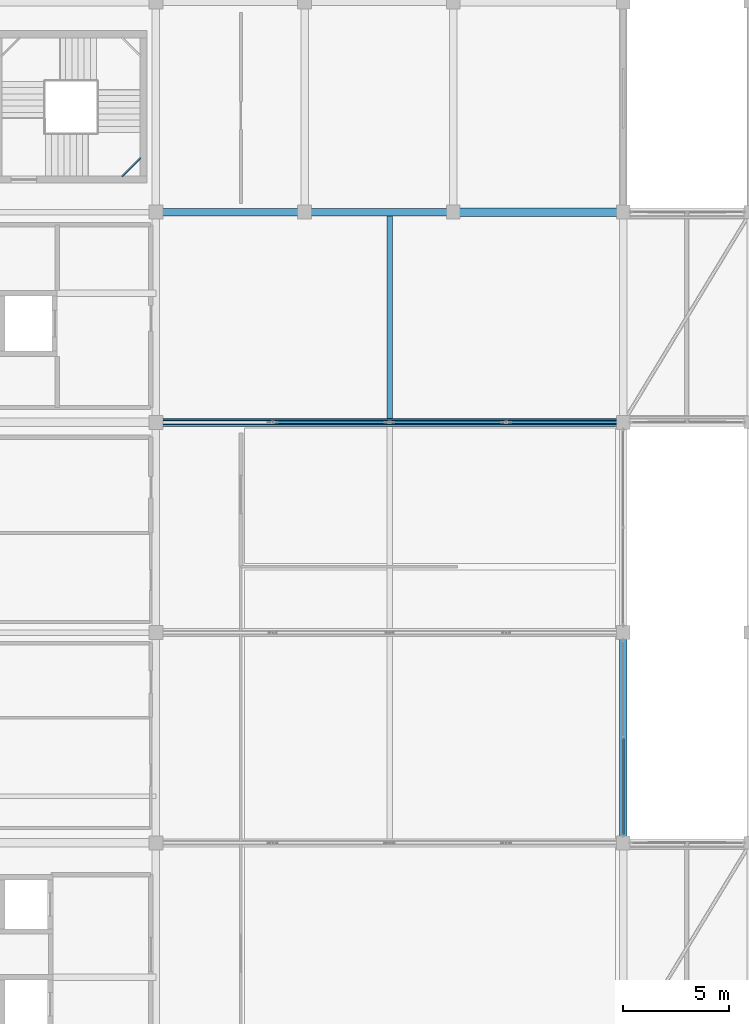
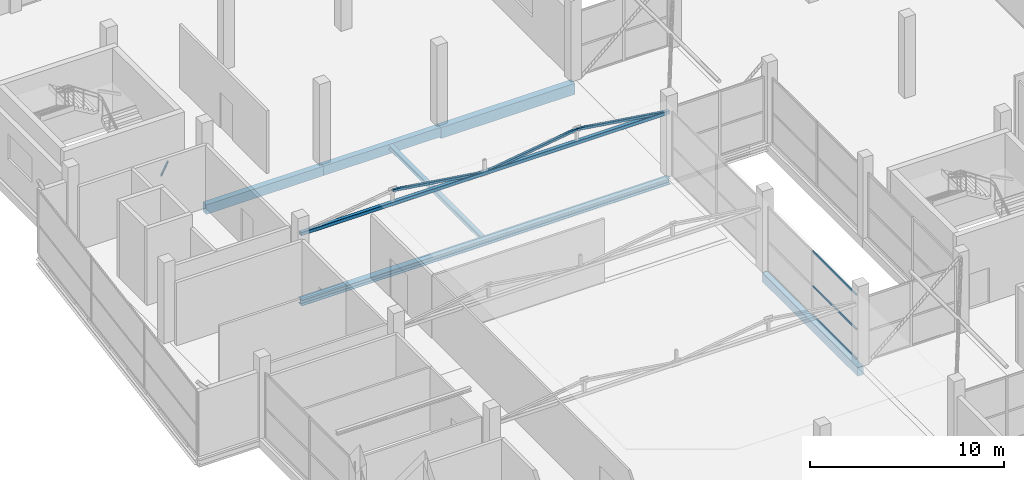
# One storey, part 25 of 58: 7 beams, 7 members, 1 element without a shape of its own.
"""IFC4 building model written with IfcOpenShell, lengths in metres."""

import ifcopenshell
import ifcopenshell.guid

model = None  # the IFC model being written
_history = None  # IfcOwnerHistory: only IFC2X3 demands one
_inside = {}  # id of a spatial element -> (the spatial element, [elements in it])
_under = {}  # id of a project, library or spatial element -> (it, [spatial elements below it])
_declared = {}  # id of a project -> (the project, [libraries it declares])
_typed = {}  # id of a type object -> (the type object, [elements of that type])
_made_of = {}  # id of a material, layer set ... -> (it, [elements and type objects made of it])


def new_model(schema):
    """Start an empty IFC model of exactly this schema.

    Asked for "IFC4X3", IfcOpenShell would pick the latest addendum, in which some entities
    have other attributes; the version numbers below select the first issue.
    IFC2X3 requires an IfcOwnerHistory on every rooted entity: one is made here for all.
    """
    global model, _history
    if schema == "IFC4X3":
        model = ifcopenshell.file(schema_version=(4, 3, 0, 0))
    else:
        model = ifcopenshell.file(schema=schema)
    _inside.clear()
    _under.clear()
    _declared.clear()
    _typed.clear()
    _made_of.clear()
    _history = None
    if model.schema == "IFC2X3":
        org = make("IfcOrganization", Name="unknown")
        user = make(
            "IfcPersonAndOrganization",
            ThePerson=make("IfcPerson", FamilyName="unknown"),
            TheOrganization=org,
        )
        app = make(
            "IfcApplication",
            ApplicationDeveloper=org,
            Version="unknown",
            ApplicationFullName="unknown",
            ApplicationIdentifier="unknown",
        )
        _history = make(
            "IfcOwnerHistory",
            OwningUser=user,
            OwningApplication=app,
            ChangeAction="ADDED",
            CreationDate=0,
        )
    return model


def make(cls, **values):
    """One entity of the class cls with the attributes given. An attribute that is None is left unset."""
    return model.create_entity(
        cls, **{name: value for name, value in values.items() if value is not None}
    )


def rooted(cls, **values):
    """An entity with a GlobalId (a new one), such as an element, a storey or a relation."""
    return make(cls, GlobalId=ifcopenshell.guid.new(), OwnerHistory=_history, **values)


def si_unit(unit_type, name, prefix=None):
    """IfcSIUnit, for example si_unit("LENGTHUNIT", "METRE", prefix="MILLI")."""
    return make("IfcSIUnit", UnitType=unit_type, Prefix=prefix, Name=name)


def assignment(units):
    """IfcUnitAssignment: the units of a project."""
    return None if units is None else make("IfcUnitAssignment", Units=units)


def point(xyz):
    """IfcCartesianPoint."""
    return None if xyz is None else make("IfcCartesianPoint", Coordinates=xyz)


def direction(xyz):
    """IfcDirection."""
    return None if xyz is None else make("IfcDirection", DirectionRatios=xyz)


def frame(location, z_axis=None, x_axis=None):
    """IfcAxis2Placement3D, a coordinate frame: its origin and axes. An axis left out is left unset."""
    return make(
        "IfcAxis2Placement3D",
        Location=point(location),
        Axis=direction(z_axis),
        RefDirection=direction(x_axis),
    )


def frame_2d(location, x_axis=None):
    """IfcAxis2Placement2D, a coordinate frame in the plane: its origin and x axis."""
    return make(
        "IfcAxis2Placement2D", Location=point(location), RefDirection=direction(x_axis)
    )


def origin():
    """The frame at (0, 0, 0) with its axes left unset."""
    return frame((0.0, 0.0, 0.0))


def origin_2d():
    """The frame at (0, 0) in the plane with its x axis left unset."""
    return frame_2d((0.0, 0.0))


def place(relative_to, where):
    """IfcLocalPlacement: puts the frame where relative to a parent placement (None: the world)."""
    return make(
        "IfcLocalPlacement", PlacementRelTo=relative_to, RelativePlacement=where
    )


def context(
    kind, dimensions, precision=None, world=None, true_north=None, identifier=None
):
    """IfcGeometricRepresentationContext, for example the 3D "Model" context."""
    return make(
        "IfcGeometricRepresentationContext",
        ContextIdentifier=identifier,
        ContextType=kind,
        CoordinateSpaceDimension=dimensions,
        Precision=precision,
        WorldCoordinateSystem=world,
        TrueNorth=true_north,
    )


def subcontext(parent, identifier, kind, view, scale=None):
    """IfcGeometricRepresentationSubContext, for example "Body" below "Model"."""
    return make(
        "IfcGeometricRepresentationSubContext",
        ContextIdentifier=identifier,
        ContextType=kind,
        ParentContext=parent,
        TargetScale=scale,
        TargetView=view,
    )


def project(units=None, contexts=None):
    """IfcProject with its units and contexts."""
    return rooted(
        "IfcProject",
        Name="project",
        RepresentationContexts=contexts,
        UnitsInContext=assignment(units),
    )


def spatial(cls, under=None, at=None, **own):
    """A site, building, storey or space (cls), placed at a placement, below another one or the project."""
    s = rooted(cls, ObjectPlacement=at, **own)
    if under is not None:
        _under.setdefault(under.id(), (under, []))[1].append(s)
    return s


def profile(cls, at=None, kind="AREA", **sizes):
    """A parametric profile (cls). Its sizes go by their IFC names, for example OverallWidth=200.0."""
    return make(cls, ProfileType=kind, Position=at, **sizes)


def rectangle(**sizes):
    """IfcRectangleProfileDef."""
    return profile("IfcRectangleProfileDef", **sizes)


def hollow_rectangle(**sizes):
    """IfcRectangleHollowProfileDef."""
    return profile("IfcRectangleHollowProfileDef", **sizes)


def i_section(**sizes):
    """IfcIShapeProfileDef."""
    return profile("IfcIShapeProfileDef", **sizes)


def extrude(swept, where, along, depth):
    """IfcExtrudedAreaSolid: the profile swept, set in the frame where, extruded along a direction by depth."""
    return make(
        "IfcExtrudedAreaSolid",
        SweptArea=swept,
        Position=where,
        ExtrudedDirection=direction(along),
        Depth=depth,
    )


def shape(context_of_items, identifier, shape_type, items):
    """IfcShapeRepresentation: the items that make up one representation, for example the "Body"."""
    return make(
        "IfcShapeRepresentation",
        ContextOfItems=context_of_items,
        RepresentationIdentifier=identifier,
        RepresentationType=shape_type,
        Items=items,
    )


def material(Name=None, Category=None):
    """IfcMaterial."""
    return make("IfcMaterial", Name=Name, Category=Category)


def layer(
    of_material, thickness, ventilated=None, Name=None, Category=None, Priority=None
):
    """IfcMaterialLayer: one layer of a wall or slab, of a material (None: an air gap)."""
    return make(
        "IfcMaterialLayer",
        Material=of_material,
        LayerThickness=thickness,
        IsVentilated=ventilated,
        Name=Name,
        Category=Category,
        Priority=Priority,
    )


def layer_set(layers, Name=None):
    """IfcMaterialLayerSet."""
    return make("IfcMaterialLayerSet", MaterialLayers=layers, LayerSetName=Name)


def material_profile(
    of_material, cross_section, Name=None, Category=None, Priority=None
):
    """IfcMaterialProfile: a cross section and its material."""
    return make(
        "IfcMaterialProfile",
        Name=Name,
        Material=of_material,
        Profile=cross_section,
        Priority=Priority,
        Category=Category,
    )


def profile_set(profiles, Name=None, composite=None):
    """IfcMaterialProfileSet."""
    return make(
        "IfcMaterialProfileSet",
        Name=Name,
        MaterialProfiles=profiles,
        CompositeProfile=composite,
    )


def made_of(thing, what):
    """Note that an element or type object is made of a material, layer set ...; save() writes the relation."""
    if what is not None:
        _made_of.setdefault(what.id(), (what, []))[1].append(thing)
    return thing


def type_object(cls, material=None, **own):
    """A type object (cls), such as IfcWallType, which elements share."""
    return made_of(rooted(cls, **own), material)


def element(
    cls,
    number,
    at=None,
    inside=None,
    cuts=None,
    type_object=None,
    material=None,
    context=None,
    identifier="Body",
    shape_type=None,
    held_by="IfcProductDefinitionShape",
    body=None,
    shapes=None,
    **own,
):
    """One element of the class cls, such as IfcWall. Its Tag is "e" and its number.

    at: its placement. inside: the storey or other place that contains it. cuts: it is an
    opening in that element (IfcRelVoidsElement). A single representation is given by context,
    identifier, shape_type and body (its items); several are given by shapes. held_by: the class
    of the entity that holds the representations. save() writes the other relations.
    """
    e = rooted(cls, Tag="e%d" % number, ObjectPlacement=at, **own)
    if body is not None:
        shapes = [shape(context, identifier, shape_type, body)]
    if shapes is not None:
        e.Representation = make(held_by, Representations=shapes)
    if inside is not None:
        _inside.setdefault(inside.id(), (inside, []))[1].append(e)
    if cuts is not None:
        rooted(
            "IfcRelVoidsElement", RelatingBuildingElement=cuts, RelatedOpeningElement=e
        )
    if type_object is not None:
        _typed.setdefault(type_object.id(), (type_object, []))[1].append(e)
    return made_of(e, material)


def aggregate(whole, parts):
    """IfcRelAggregates: a whole, such as a stair, and the parts it consists of."""
    return rooted("IfcRelAggregates", RelatingObject=whole, RelatedObjects=parts)


def save(model, path):
    """Write the relations noted so far, then the file.

    IfcRelAggregates (storeys below a building ...), IfcRelContainedInSpatialStructure (elements
    in a storey), IfcRelDefinesByType, IfcRelAssociatesMaterial and IfcRelDeclares: one each for
    every whole, place, type object, material and project.
    """
    for whole, parts in _under.values():
        aggregate(whole, parts)
    for where, things in _inside.values():
        rooted(
            "IfcRelContainedInSpatialStructure",
            RelatedElements=things,
            RelatingStructure=where,
        )
    for kind, things in _typed.values():
        rooted("IfcRelDefinesByType", RelatedObjects=things, RelatingType=kind)
    for what, things in _made_of.values():
        rooted("IfcRelAssociatesMaterial", RelatedObjects=things, RelatingMaterial=what)
    for by, libraries in _declared.values():
        rooted("IfcRelDeclares", RelatingContext=by, RelatedDefinitions=libraries)
    model.write(path)


model = new_model("IFC4")

# Units and contexts
model_context = context("Model", 3, precision=1e-05, world=origin(), true_north=direction((0.0, 1.0)))
body_context = subcontext(model_context, "Body", "Model", "MODEL_VIEW")
ifc_project = project(units=[si_unit("LENGTHUNIT", "METRE"), si_unit("AREAUNIT", "SQUARE_METRE"), si_unit("VOLUMEUNIT", "CUBIC_METRE"), si_unit("PLANEANGLEUNIT", "RADIAN"), si_unit("MASSUNIT", "GRAM", prefix="KILO")], contexts=[model_context])

# Site, building, storey
site_placement = place(None, origin())
site = spatial("IfcSite", under=ifc_project, at=site_placement, CompositionType="ELEMENT")
building_placement = place(site_placement, origin())
building = spatial("IfcBuilding", under=site, at=building_placement, Name="Sillaruma Civic Art Gallery", CompositionType="ELEMENT")
storey_placement = place(building_placement, frame((0.0, 0.0, 52.02001953125)))
storey = spatial("IfcBuildingStorey", under=building, at=storey_placement, Name="L10", CompositionType="ELEMENT", Elevation=52.02001953125)

# Beams
ifc_material_1 = material(Name="Concrete H35 (35 MPa)", Category="concrete")
ifc_material_profile_1 = material_profile(ifc_material_1, rectangle(XDim=0.35009765625, YDim=0.60009765625, at=origin_2d()), Name="RCB350x600")
ifc_profile_set_1 = profile_set([ifc_material_profile_1], Name="Concrete H35 (35 MPa)")
beam_type_1 = type_object("IfcBeamType", Name="BM-BEAM-RCB350x600", PredefinedType="BEAM", material=ifc_profile_set_1)
for number, where, z_axis, x_axis, name in (
    (1, (70.0, 79.199951171875, -0.550048828125), (1.0, 0.0, 0.0), (0.0, 1.0, 0.0), "Beam BM-06 (L09:9:G-H)"),
    (2, (77.0, 79.199951171875, -0.550048828125), (1.0, 0.0, 0.0), (0.0, 1.0, 0.0), "Beam BM-06 (L09:9:H-J)"),
):
    element("IfcBeam", number, at=place(storey_placement, frame(where, z_axis=z_axis, x_axis=x_axis)), inside=storey, type_object=beam_type_1, Name=name, PredefinedType="BEAM", context=body_context, shape_type="SweptSolid", body=[
        extrude(rectangle(XDim=0.35009765625, YDim=0.60009765625, at=origin_2d()), origin(), (0.0, 0.0, 1.0), 7.0),
    ])
ifc_material_profile_2 = material_profile(ifc_material_1, rectangle(XDim=0.39990234375, YDim=0.699951171875, at=origin_2d()), Name="RCB400x700")
ifc_profile_set_2 = profile_set([ifc_material_profile_2], Name="Concrete H35 (35 MPa)")
beam_type_2 = type_object("IfcBeamType", Name="BM-BEAM-RCB400x700", PredefinedType="BEAM", material=ifc_profile_set_2)
beam_1_placement = place(storey_placement, frame((84.0, 79.199951171875, -0.60009765625), z_axis=(1.0, 0.0, 0.0), x_axis=(0.0, 1.0, 0.0)))
element("IfcBeam", 3, at=beam_1_placement, inside=storey, type_object=beam_type_2, Name="Beam BM-04 (L09:9:J-K)", PredefinedType="BEAM", context=body_context, shape_type="SweptSolid", body=[
    extrude(rectangle(XDim=0.39990234375, YDim=0.699951171875, at=origin_2d()), origin(), (0.0, 0.0, 1.0), 8.0),
])
ifc_material_2 = material(Name="Structural Steel ASTM A992 Gr.50", Category="steel")
ifc_material_profile_3 = material_profile(ifc_material_2, i_section(OverallWidth=0.256103515625, OverallDepth=0.260009765625, WebThickness=0.0107421875, FlangeThickness=0.017333984375, FilletRadius=0.012939453125, at=origin_2d()), Name="W250x89")
ifc_profile_set_3 = profile_set([ifc_material_profile_3], Name="Structural Steel ASTM A992 Gr.50")
beam_type_3 = type_object("IfcBeamType", Name="BM-JOIST-W250x89", PredefinedType="JOIST", material=ifc_profile_set_3)
beam_2_placement = place(storey_placement, frame((81.0, 69.485595703125, -0.380126953125), z_axis=(0.0, 1.0, 0.0), x_axis=(-1.0, 0.0, 0.0)))
element("IfcBeam", 4, at=beam_2_placement, inside=storey, type_object=beam_type_3, Name="Long-Span Gallery Joist JS-04 (L09:8-9)", PredefinedType="JOIST", context=body_context, shape_type="SweptSolid", body=[
    extrude(i_section(OverallWidth=0.256103515625, OverallDepth=0.260009765625, WebThickness=0.0107421875, FlangeThickness=0.017333984375, FilletRadius=0.012939453125, at=origin_2d()), origin(), (0.0, 0.0, 1.0), 9.539306640625),
])
ifc_material_3 = material(Name="Structural Steel ASTM A500 Gr.C", Category="steel")
ifc_material_profile_4 = material_profile(ifc_material_3, hollow_rectangle(XDim=0.080078125, YDim=0.159912109375, WallThickness=0.008056640625, InnerFilletRadius=0.008056640625, OuterFilletRadius=0.01611328125, at=origin_2d()), Name="HSS160x80x8")
ifc_profile_set_4 = profile_set([ifc_material_profile_4], Name="Structural Steel ASTM A500 Gr.C")
beam_type_4 = type_object("IfcBeamType", Name="BM-LND-HSS160", PredefinedType="BEAM", material=ifc_profile_set_4)
beam_3_placement = place(storey_placement, frame((68.389892578125, 80.8701171875, 1.080078125), z_axis=(0.707203758046, 0.707009791025, 0.0), x_axis=(-0.707009791025, 0.707203758046, 0.0)))
element("IfcBeam", 5, at=beam_3_placement, inside=storey, type_object=beam_type_4, Name="Stair Corner Landing Trimmer Beam (ST-02-L10-1)", PredefinedType="BEAM", context=body_context, shape_type="SweptSolid", body=[
    extrude(hollow_rectangle(XDim=0.080078125, YDim=0.159912109375, WallThickness=0.008056640625, InnerFilletRadius=0.008056640625, OuterFilletRadius=0.01611328125, at=origin_2d()), origin(), (0.0, 0.0, 1.0), 1.2587890625),
])
ifc_material_profile_5 = material_profile(ifc_material_1, rectangle(XDim=0.35009765625, YDim=0.550048828125, at=origin_2d()), Name="RCB350x550")
ifc_profile_set_5 = profile_set([ifc_material_profile_5], Name="Concrete H35 (35 MPa)")
beam_type_5 = type_object("IfcBeamType", Name="BM-SPANDREL-RCB350x550", PredefinedType="SPANDREL", material=ifc_profile_set_5)
beam_4_placement = place(storey_placement, frame((92.0, 49.5, -0.52490234375), z_axis=(0.0, 1.0, 0.0), x_axis=(-1.0, 0.0, 0.0)))
element("IfcBeam", 6, at=beam_4_placement, inside=storey, type_object=beam_type_5, Name="Beam BS-04 (L09:K:6-7)", PredefinedType="SPANDREL", context=body_context, shape_type="SweptSolid", body=[
    extrude(rectangle(XDim=0.35009765625, YDim=0.550048828125, at=origin_2d()), origin(), (0.0, 0.0, 1.0), 9.89990234375),
])
ifc_material_profile_6 = material_profile(ifc_material_2, i_section(OverallWidth=0.37109375, OverallDepth=0.364013671875, WebThickness=0.01318359375, FlangeThickness=0.021728515625, FilletRadius=0.014892578125, at=origin_2d()), Name="W360x162")
ifc_profile_set_6 = profile_set([ifc_material_profile_6], Name="Structural Steel ASTM A992 Gr.50")
beam_type_6 = type_object("IfcBeamType", Name="BM-TRTOP-W360x162", PredefinedType="BEAM", material=ifc_profile_set_6)
beam_5_placement = place(storey_placement, frame((70.0, 69.300048828125, -0.43212890625), z_axis=(1.0, 0.0, 0.0), x_axis=(0.0, 1.0, 0.0)))
element("IfcBeam", 7, at=beam_5_placement, inside=storey, type_object=beam_type_6, Name="Warren Truss Top Chord TR-L09-3", PredefinedType="BEAM", context=body_context, shape_type="SweptSolid", body=[
    extrude(i_section(OverallWidth=0.37109375, OverallDepth=0.364013671875, WebThickness=0.01318359375, FlangeThickness=0.021728515625, FilletRadius=0.014892578125, at=origin_2d()), origin(), (0.0, 0.0, 1.0), 22.0),
])

# Members
ifc_material_profile_7 = material_profile(ifc_material_3, hollow_rectangle(XDim=0.14990234375, YDim=0.14990234375, WallThickness=0.010009765625, InnerFilletRadius=0.010009765625, OuterFilletRadius=0.02001953125, at=origin_2d()), Name="HSS150x150x10")
ifc_profile_set_7 = profile_set([ifc_material_profile_7], Name="Structural Steel ASTM A500 Gr.C")
member_type_1 = type_object("IfcMemberType", Name="MEM-BRACE-HSS150x150x10", PredefinedType="BRACE", material=ifc_profile_set_7)
for number, where, z_axis, x_axis, name in (
    (8, (75.5, 69.300048828125, 4.66796875), (0.989377720719, 0.0, -0.145367553959), (0.0, 1.0, 0.0), "Warren Truss Diagonal TR-L10-3-D2"),
    (9, (81.0, 69.300048828125, 3.85986328125), (0.989377720719, 0.0, 0.145367553959), (0.0, 1.0, 0.0), "Warren Truss Diagonal TR-L10-3-D3"),
    (10, (86.5, 69.300048828125, 4.66796875), (0.989377720719, 0.0, -0.145367553959), (0.0, 1.0, 0.0), "Warren Truss Diagonal TR-L10-3-D4"),
):
    element("IfcMember", number, at=place(storey_placement, frame(where, z_axis=z_axis, x_axis=x_axis)), inside=storey, type_object=member_type_1, Name=name, PredefinedType="BRACE", context=body_context, shape_type="SweptSolid", body=[
        extrude(hollow_rectangle(XDim=0.14990234375, YDim=0.14990234375, WallThickness=0.010009765625, InnerFilletRadius=0.010009765625, OuterFilletRadius=0.02001953125, at=origin_2d()), origin(), (0.0, 0.0, 1.0), 5.55908203125),
    ])
ifc_material_profile_8 = material_profile(ifc_material_3, hollow_rectangle(XDim=0.219970703125, YDim=0.219970703125, WallThickness=0.012451171875, InnerFilletRadius=0.012451171875, OuterFilletRadius=0.02490234375, at=origin_2d()), Name="HSS220x220x12.5")
ifc_profile_set_8 = profile_set([ifc_material_profile_8], Name="Structural Steel ASTM A500 Gr.C")
member_type_2 = type_object("IfcMemberType", Name="MEM-CHORD-HSS220x220x12.5", PredefinedType="CHORD", material=ifc_profile_set_8)
member_1_placement = place(storey_placement, frame((70.0, 69.300048828125, 3.85986328125), z_axis=(1.0, 0.0, 0.0), x_axis=(0.0, 1.0, 0.0)))
element("IfcMember", 11, at=member_1_placement, inside=storey, type_object=member_type_2, Name="Warren Truss Bottom Chord TR-L10-3", PredefinedType="CHORD", context=body_context, shape_type="SweptSolid", body=[
    extrude(hollow_rectangle(XDim=0.219970703125, YDim=0.219970703125, WallThickness=0.012451171875, InnerFilletRadius=0.012451171875, OuterFilletRadius=0.02490234375, at=origin_2d()), origin(), (0.0, 0.0, 1.0), 22.0),
])

# Curtain wall, members
ifc_material_4 = material(Name="Thermally Broken Extruded Aluminium 6063-T6", Category="aluminium")
ifc_layer = layer(ifc_material_4, 0.159912109375, Name="Thermally Broken Extruded Aluminium 6063-T6")
ifc_layer_set = layer_set([ifc_layer], Name="Thermally Broken Extruded Aluminium 6063-T6")
curtain_wall_type = type_object("IfcCurtainWallType", Name="CW-UNI-69", PredefinedType="NOTDEFINED", material=ifc_layer_set)
curtain_wall_placement = place(storey_placement, origin())
curtain_wall = element("IfcCurtainWall", 12, at=curtain_wall_placement, inside=storey, type_object=curtain_wall_type, Name="Unitised Curtain Wall CW-69 (CW-L10-WBE-4)", PredefinedType="NOTDEFINED")
ifc_material_profile_9 = material_profile(ifc_material_4, hollow_rectangle(XDim=0.06494140625, YDim=0.1201171875, WallThickness=0.00341796875, at=origin_2d()), Name="CWT65x120")
ifc_profile_set_9 = profile_set([ifc_material_profile_9], Name="Thermally Broken Extruded Aluminium 6063-T6")
member_type_3 = type_object("IfcMemberType", Name="MEM-TRN-CWT65x120", PredefinedType="USERDEFINED", material=ifc_profile_set_9)
member_2_placement = place(storey_placement, frame((92.0, 49.889892578125, 0.032470703125), z_axis=(0.0, 1.0, 0.0), x_axis=(-1.0, 0.0, 0.0)))
member_2 = element("IfcMember", 13, at=member_2_placement, type_object=member_type_3, Name="CW-69 transom 1.1", ObjectType="TRANSOM", PredefinedType="USERDEFINED", context=body_context, shape_type="SweptSolid", body=[
    extrude(hollow_rectangle(XDim=0.06494140625, YDim=0.1201171875, WallThickness=0.00341796875, at=origin_2d()), origin(), (0.0, 0.0, 1.0), 4.527587890625),
])
member_3_placement = place(storey_placement, frame((92.0, 49.889892578125, 1.885986328125), z_axis=(0.0, 1.0, 0.0), x_axis=(-1.0, 0.0, 0.0)))
member_3 = element("IfcMember", 14, at=member_3_placement, type_object=member_type_3, Name="CW-69 transom 1.2", ObjectType="TRANSOM", PredefinedType="USERDEFINED", context=body_context, shape_type="SweptSolid", body=[
    extrude(hollow_rectangle(XDim=0.06494140625, YDim=0.1201171875, WallThickness=0.00341796875, at=origin_2d()), origin(), (0.0, 0.0, 1.0), 4.527587890625),
])
member_4_placement = place(storey_placement, frame((92.0, 49.889892578125, 4.0673828125), z_axis=(0.0, 1.0, 0.0), x_axis=(-1.0, 0.0, 0.0)))
member_4 = element("IfcMember", 15, at=member_4_placement, type_object=member_type_3, Name="CW-69 transom 1.3", ObjectType="TRANSOM", PredefinedType="USERDEFINED", context=body_context, shape_type="SweptSolid", body=[
    extrude(hollow_rectangle(XDim=0.06494140625, YDim=0.1201171875, WallThickness=0.00341796875, at=origin_2d()), origin(), (0.0, 0.0, 1.0), 4.527587890625),
])
aggregate(curtain_wall, [member_2, member_3, member_4])

save(model, "model.ifc")
